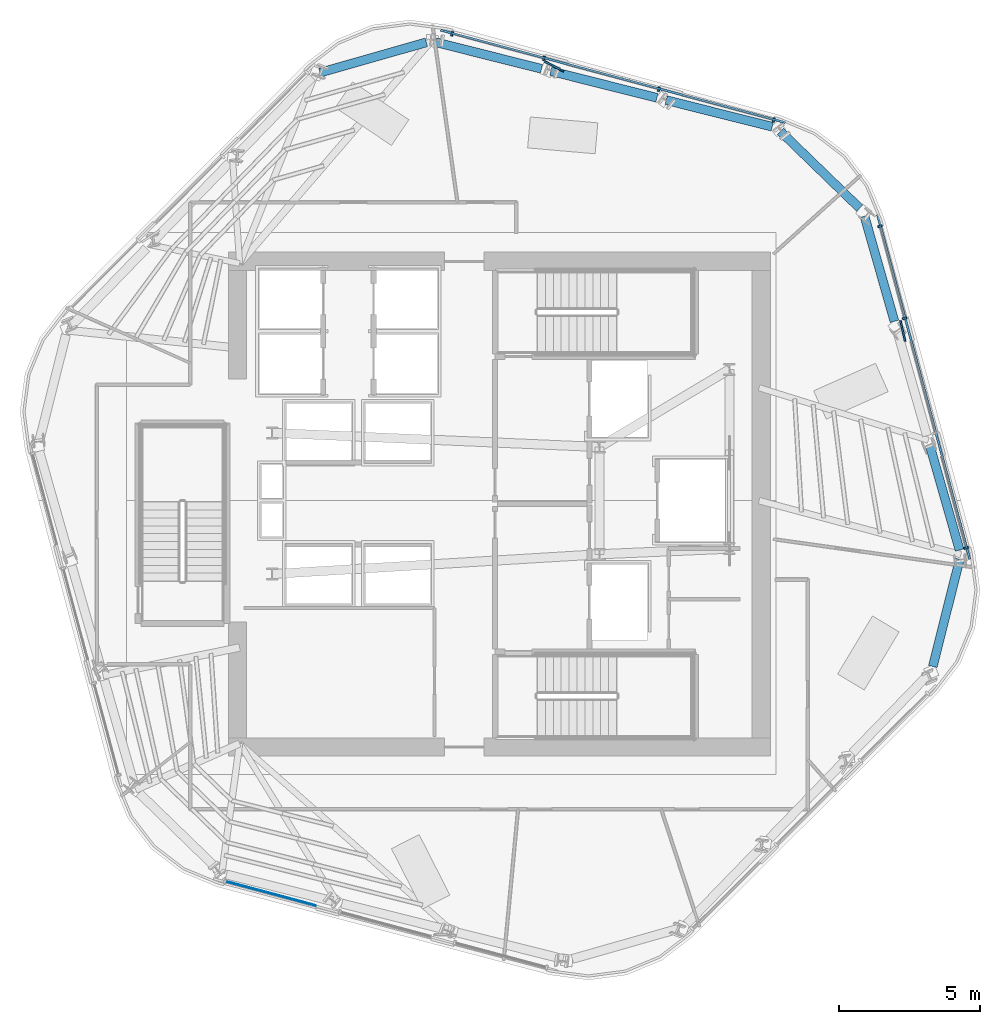
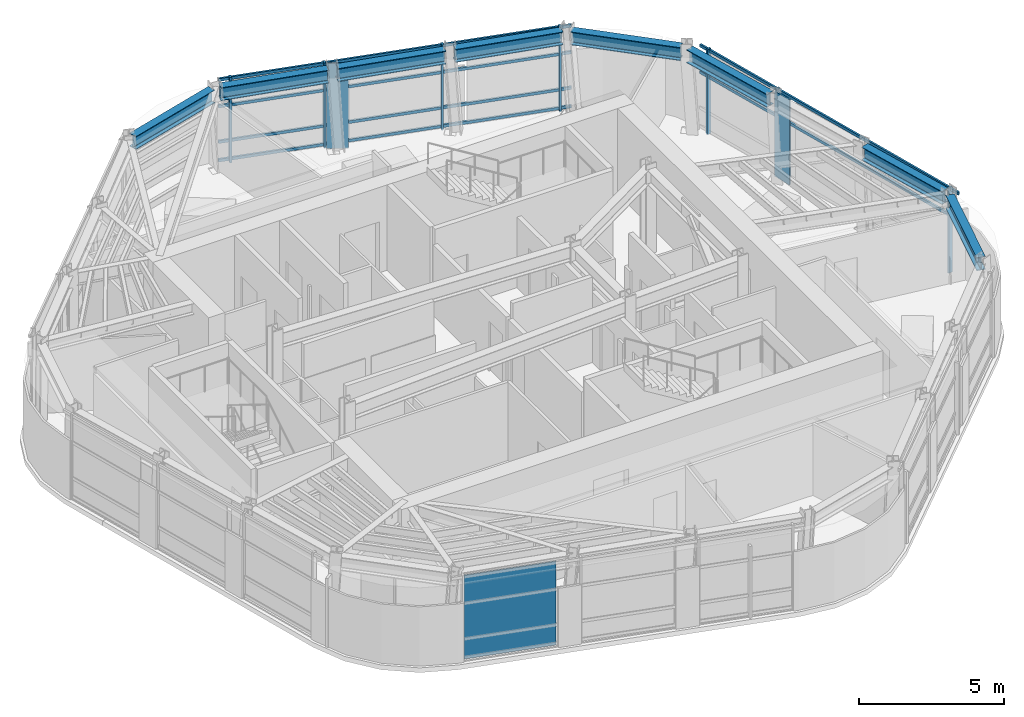
# One storey, part 5 of 13: 15 members, 8 beams, 1 plate, 3 elements without a shape of their own.
"""IFC4 building model written with IfcOpenShell, lengths in metres."""

from ifc_helpers import new_model, si_unit, direction, frame, origin, origin_2d, place, context, subcontext, project, spatial, rectangle, i_section, extrude, material, layer, layer_set, material_profile, profile_set, type_object, element, aggregate, save


model = new_model("IFC4")

# Units and contexts
model_context = context("Model", 3, precision=1e-05, world=origin(), true_north=direction((0.0, 1.0)))
body_context = subcontext(model_context, "Body", "Model", "MODEL_VIEW")
ifc_project = project(units=[si_unit("LENGTHUNIT", "METRE"), si_unit("AREAUNIT", "SQUARE_METRE"), si_unit("VOLUMEUNIT", "CUBIC_METRE"), si_unit("PLANEANGLEUNIT", "RADIAN"), si_unit("MASSUNIT", "GRAM", prefix="KILO")], contexts=[model_context])

# Site, building, storey
site_placement = place(None, origin())
site = spatial("IfcSite", under=ifc_project, at=site_placement, CompositionType="ELEMENT")
building_placement = place(site_placement, origin())
building = spatial("IfcBuilding", under=site, at=building_placement, Name="Valkerne Bourse Tower", CompositionType="ELEMENT")
storey_placement = place(building_placement, frame((0.0, 0.0, 217.0)))
storey = spatial("IfcBuildingStorey", under=building, at=storey_placement, Name="L55", CompositionType="ELEMENT", Elevation=217.0)

# Beams
ifc_material_1 = material(Name="Steel ASTM A992", Category="steel")
ifc_material_profile_1 = material_profile(ifc_material_1, i_section(OverallWidth=0.31494140625, OverallDepth=0.5537109375, WebThickness=0.0166015625, FlangeThickness=0.026123046875, FilletRadius=0.020263671875, at=origin_2d()), Name="W21X132")
ifc_profile_set_1 = profile_set([ifc_material_profile_1], Name="Steel ASTM A992")
beam_type = type_object("IfcBeamType", Name="BM-W21X132", PredefinedType="BEAM", material=ifc_profile_set_1)
beam_1_placement = place(storey_placement, frame((56.46533203125, 40.2431640625, 3.322998046875), z_axis=(-0.969878572825, 0.243588903636, 0.0), x_axis=(-0.243588903636, -0.969878572825, 0.0)))
element("IfcBeam", 1, at=beam_1_placement, inside=storey, type_object=beam_type, Name="L55 Hexagonal Spandrel Ring Beam 00", PredefinedType="BEAM", context=body_context, shape_type="SweptSolid", body=[
    extrude(i_section(OverallWidth=0.31494140625, OverallDepth=0.5537109375, WebThickness=0.0166015625, FlangeThickness=0.026123046875, FilletRadius=0.020263671875, at=origin_2d()), origin(), (0.0, 0.0, 1.0), 3.871826171875),
])
for number, where, z_axis, x_axis, name in (
    (2, (52.38037109375, 41.269287109375, 3.322998046875), (-0.969882314, 0.243574007215, 0.0), (-0.243574007215, -0.969882314, 0.0), "L55 Hexagonal Spandrel Ring Beam 01"),
    (3, (48.295166015625, 42.29541015625, 3.322998046875), (-0.969882314, 0.243574007215, 0.0), (-0.243574007215, -0.969882314, 0.0), "L55 Hexagonal Spandrel Ring Beam 02"),
):
    element("IfcBeam", number, at=place(storey_placement, frame(where, z_axis=z_axis, x_axis=x_axis)), inside=storey, type_object=beam_type, Name=name, PredefinedType="BEAM", context=body_context, shape_type="SweptSolid", body=[
        extrude(i_section(OverallWidth=0.31494140625, OverallDepth=0.5537109375, WebThickness=0.0166015625, FlangeThickness=0.026123046875, FilletRadius=0.020263671875, at=origin_2d()), origin(), (0.0, 0.0, 1.0), 3.8720703125),
    ])
for number, where, z_axis, x_axis, name in (
    (4, (44.21142578125, 43.2333984375, 3.322998046875), (-0.961735427489, -0.273979866986, 0.0), (0.273979866986, -0.961735427489, 0.0), "L55 Hexagonal Spandrel Ring Beam 03"),
    (5, (62.15283203125, 21.125, 3.322998046875), (0.243606452183, 0.969874165268, 0.0), (-0.969874165268, 0.243606452183, 0.0), "L55 Hexagonal Spandrel Ring Beam 19"),
):
    element("IfcBeam", number, at=place(storey_placement, frame(where, z_axis=z_axis, x_axis=x_axis)), inside=storey, type_object=beam_type, Name=name, PredefinedType="BEAM", context=body_context, shape_type="SweptSolid", body=[
        extrude(i_section(OverallWidth=0.31494140625, OverallDepth=0.5537109375, WebThickness=0.0166015625, FlangeThickness=0.026123046875, FilletRadius=0.020263671875, at=origin_2d()), origin(), (0.0, 0.0, 1.0), 3.91552734375),
    ])
beam_2_placement = place(storey_placement, frame((63.1015625, 25.251220703125, 3.322998046875), z_axis=(-0.273979836735, 0.961735436106, 0.0), x_axis=(-0.961735436106, -0.273979836735, 0.0)))
element("IfcBeam", 6, at=beam_2_placement, inside=storey, type_object=beam_type, Name="L55 Hexagonal Spandrel Ring Beam 20", PredefinedType="BEAM", context=body_context, shape_type="SweptSolid", body=[
    extrude(i_section(OverallWidth=0.31494140625, OverallDepth=0.5537109375, WebThickness=0.0166015625, FlangeThickness=0.026123046875, FilletRadius=0.020263671875, at=origin_2d()), origin(), (0.0, 0.0, 1.0), 3.871826171875),
])
beam_3_placement = place(storey_placement, frame((60.793701171875, 33.352783203125, 3.322998046875), z_axis=(-0.273963222598, 0.961740168998, 0.0), x_axis=(-0.961740168998, -0.273963222598, 0.0)))
element("IfcBeam", 7, at=beam_3_placement, inside=storey, type_object=beam_type, Name="L55 Hexagonal Spandrel Ring Beam 22", PredefinedType="BEAM", context=body_context, shape_type="SweptSolid", body=[
    extrude(i_section(OverallWidth=0.31494140625, OverallDepth=0.5537109375, WebThickness=0.0166015625, FlangeThickness=0.026123046875, FilletRadius=0.020263671875, at=origin_2d()), origin(), (0.0, 0.0, 1.0), 3.8720703125),
])
beam_4_placement = place(storey_placement, frame((59.564208984375, 37.3583984375, 3.322998046875), z_axis=(-0.718087329657, 0.695953006306, 0.0), x_axis=(-0.695953006306, -0.718087329657, 0.0)))
element("IfcBeam", 8, at=beam_4_placement, inside=storey, type_object=beam_type, Name="L55 Hexagonal Spandrel Ring Beam 23", PredefinedType="BEAM", context=body_context, shape_type="SweptSolid", body=[
    extrude(i_section(OverallWidth=0.31494140625, OverallDepth=0.5537109375, WebThickness=0.0166015625, FlangeThickness=0.026123046875, FilletRadius=0.020263671875, at=origin_2d()), origin(), (0.0, 0.0, 1.0), 3.91552734375),
])

# Curtain wall, members
ifc_material_2 = material(Name="Aluminium AA 6063-T6", Category="aluminium")
ifc_layer_1 = layer(ifc_material_2, 0.239990234375)
ifc_layer_set_1 = layer_set([ifc_layer_1], Name="Aluminium AA 6063-T6")
curtain_wall_type = type_object("IfcCurtainWallType", Name="CW-04", PredefinedType="NOTDEFINED", material=ifc_layer_set_1)
curtain_wall_1_placement = place(storey_placement, origin())
curtain_wall_1 = element("IfcCurtainWall", 9, at=curtain_wall_1_placement, inside=storey, type_object=curtain_wall_type, Name="L55 Hexagonal Stick Curtain Wall Face 1", PredefinedType="NOTDEFINED")
ifc_material_profile_2 = material_profile(ifc_material_2, rectangle(XDim=0.074951171875, YDim=0.159912109375, at=origin_2d()), Name="CWM-75X160")
ifc_profile_set_2 = profile_set([ifc_material_profile_2], Name="Aluminium AA 6063-T6")
member_type_1 = type_object("IfcMemberType", Name="CW-MUL-160X75", PredefinedType="MULLION", material=ifc_profile_set_2)
member_1_placement = place(storey_placement, frame((56.518798828125, 40.482666015625, 0.0), z_axis=(0.0, 0.0, 1.0), x_axis=(-0.965921344505, 0.25883577077, 0.0)))
member_1 = element("IfcMember", 10, at=member_1_placement, type_object=member_type_1, Name="CW-L55-F1 Jamb Mullion 00A", PredefinedType="MULLION", context=body_context, shape_type="SweptSolid", body=[
    extrude(rectangle(XDim=0.074951171875, YDim=0.159912109375, at=origin_2d()), origin(), (0.0, 0.0, 1.0), 3.60009765625),
])
member_2_placement = place(storey_placement, frame((52.4501953125, 41.572998046875, 0.0), z_axis=(0.0, 0.0, 1.0), x_axis=(-0.965928870461, 0.258807683831, 0.0)))
member_2 = element("IfcMember", 11, at=member_2_placement, type_object=member_type_1, Name="CW-L55-F1 Jamb Mullion 01A", PredefinedType="MULLION", context=body_context, shape_type="SweptSolid", body=[
    extrude(rectangle(XDim=0.074951171875, YDim=0.159912109375, at=origin_2d()), origin(), (0.0, 0.0, 1.0), 3.60009765625),
])
member_3_placement = place(storey_placement, frame((48.3818359375, 42.6630859375, 0.0), z_axis=(0.0, 0.0, 1.0), x_axis=(-0.96592293507, 0.258829835037, 0.0)))
member_3 = element("IfcMember", 12, at=member_3_placement, type_object=member_type_1, Name="CW-L55-F1 Jamb Mullion 02A", PredefinedType="MULLION", context=body_context, shape_type="SweptSolid", body=[
    extrude(rectangle(XDim=0.074951171875, YDim=0.159912109375, at=origin_2d()), origin(), (0.0, 0.0, 1.0), 3.60009765625),
])
member_4_placement = place(storey_placement, frame((45.124755859375, 43.535888671875, 0.0), z_axis=(0.0, 0.0, 1.0), x_axis=(-0.96592293507, 0.258829835037, 0.0)))
member_4 = element("IfcMember", 13, at=member_4_placement, type_object=member_type_1, Name="CW-L55-F1 Jamb Mullion 02B", PredefinedType="MULLION", context=body_context, shape_type="SweptSolid", body=[
    extrude(rectangle(XDim=0.074951171875, YDim=0.159912109375, at=origin_2d()), origin(), (0.0, 0.0, 1.0), 3.60009765625),
])

curtain_wall_2_placement = place(storey_placement, origin())
curtain_wall_2 = element("IfcCurtainWall", 14, at=curtain_wall_2_placement, inside=storey, type_object=curtain_wall_type, Name="L55 Hexagonal Stick Curtain Wall Face 6", PredefinedType="NOTDEFINED")
member_5_placement = place(storey_placement, frame((63.335693359375, 25.32470703125, 0.0), z_axis=(0.0, 0.0, 1.0), x_axis=(-0.258829835037, 0.96592293507, 0.0)))
member_5 = element("IfcMember", 15, at=member_5_placement, type_object=member_type_1, Name="CW-L55-F6 Jamb Mullion 00A", PredefinedType="MULLION", context=body_context, shape_type="SweptSolid", body=[
    extrude(rectangle(XDim=0.074951171875, YDim=0.159912109375, at=origin_2d()), origin(), (0.0, 0.0, 1.0), 3.60009765625),
])
member_6_placement = place(storey_placement, frame((61.155517578125, 33.461669921875, 0.0), z_axis=(0.0, 0.0, 1.0), x_axis=(-0.25883577077, 0.965921344505, 0.0)))
member_6 = element("IfcMember", 16, at=member_6_placement, type_object=member_type_1, Name="CW-L55-F6 Jamb Mullion 02A", PredefinedType="MULLION", context=body_context, shape_type="SweptSolid", body=[
    extrude(rectangle(XDim=0.074951171875, YDim=0.159912109375, at=origin_2d()), origin(), (0.0, 0.0, 1.0), 3.60009765625),
])
member_7_placement = place(storey_placement, frame((60.28271484375, 36.71875, 0.0), z_axis=(0.0, 0.0, 1.0), x_axis=(-0.25883577077, 0.965921344505, 0.0)))
member_7 = element("IfcMember", 17, at=member_7_placement, type_object=member_type_1, Name="CW-L55-F6 Jamb Mullion 02B", PredefinedType="MULLION", context=body_context, shape_type="SweptSolid", body=[
    extrude(rectangle(XDim=0.074951171875, YDim=0.159912109375, at=origin_2d()), origin(), (0.0, 0.0, 1.0), 3.60009765625),
])

# Member
ifc_material_profile_3 = material_profile(ifc_material_2, rectangle(XDim=0.074951171875, YDim=0.1201171875, at=origin_2d()), Name="CWT-75X120")
ifc_profile_set_3 = profile_set([ifc_material_profile_3], Name="Aluminium AA 6063-T6")
member_type_2 = type_object("IfcMemberType", Name="CW-TRN-120X75", PredefinedType="USERDEFINED", material=ifc_profile_set_3)
member_8_placement = place(storey_placement, frame((56.9296875, 40.393310546875, 0.1201171875), z_axis=(-0.96592511106, 0.258821714361, 0.0), x_axis=(-0.258821714361, -0.96592511106, 0.0)))
member_8 = element("IfcMember", 18, at=member_8_placement, type_object=member_type_2, Name="CW-L55-F1 Continuous Face Transom 1", ObjectType="TRANSOM", PredefinedType="USERDEFINED", context=body_context, shape_type="SweptSolid", body=[
    extrude(rectangle(XDim=0.074951171875, YDim=0.1201171875, at=origin_2d()), origin(), (0.0, 0.0, 1.0), 12.63623046875),
])

member_9_placement = place(storey_placement, frame((56.9296875, 40.393310546875, 0.89990234375), z_axis=(-0.96592511106, 0.258821714361, 0.0), x_axis=(-0.258821714361, -0.96592511106, 0.0)))
member_9 = element("IfcMember", 19, at=member_9_placement, type_object=member_type_2, Name="CW-L55-F1 Continuous Face Transom 2", ObjectType="TRANSOM", PredefinedType="USERDEFINED", context=body_context, shape_type="SweptSolid", body=[
    extrude(rectangle(XDim=0.074951171875, YDim=0.1201171875, at=origin_2d()), origin(), (0.0, 0.0, 1.0), 12.63623046875),
])

member_10_placement = place(storey_placement, frame((56.9296875, 40.393310546875, 2.39990234375), z_axis=(-0.96592511106, 0.258821714361, 0.0), x_axis=(-0.258821714361, -0.96592511106, 0.0)))
member_10 = element("IfcMember", 20, at=member_10_placement, type_object=member_type_2, Name="CW-L55-F1 Continuous Face Transom 3", ObjectType="TRANSOM", PredefinedType="USERDEFINED", context=body_context, shape_type="SweptSolid", body=[
    extrude(rectangle(XDim=0.074951171875, YDim=0.1201171875, at=origin_2d()), origin(), (0.0, 0.0, 1.0), 12.63623046875),
])

member_11_placement = place(storey_placement, frame((56.9296875, 40.393310546875, 3.52001953125), z_axis=(-0.96592511106, 0.258821714361, 0.0), x_axis=(-0.258821714361, -0.96592511106, 0.0)))
member_11 = element("IfcMember", 21, at=member_11_placement, type_object=member_type_2, Name="CW-L55-F1 Continuous Face Transom 4", ObjectType="TRANSOM", PredefinedType="USERDEFINED", context=body_context, shape_type="SweptSolid", body=[
    extrude(rectangle(XDim=0.074951171875, YDim=0.1201171875, at=origin_2d()), origin(), (0.0, 0.0, 1.0), 12.63623046875),
])

aggregate(curtain_wall_1, [member_8, member_9, member_10, member_11, member_1, member_2, member_3, member_4])

member_12_placement = place(storey_placement, frame((63.4638671875, 24.92431640625, 2.39990234375), z_axis=(-0.258826544699, 0.965923816747, 0.0), x_axis=(-0.965923816747, -0.258826544699, 0.0)))
member_12 = element("IfcMember", 22, at=member_12_placement, type_object=member_type_2, Name="CW-L55-F6 Continuous Face Transom 3", ObjectType="TRANSOM", PredefinedType="USERDEFINED", context=body_context, shape_type="SweptSolid", body=[
    extrude(rectangle(XDim=0.074951171875, YDim=0.1201171875, at=origin_2d()), origin(), (0.0, 0.0, 1.0), 12.635986328125),
])

member_13_placement = place(storey_placement, frame((63.4638671875, 24.92431640625, 3.52001953125), z_axis=(-0.258826544699, 0.965923816747, 0.0), x_axis=(-0.965923816747, -0.258826544699, 0.0)))
member_13 = element("IfcMember", 23, at=member_13_placement, type_object=member_type_2, Name="CW-L55-F6 Continuous Face Transom 4", ObjectType="TRANSOM", PredefinedType="USERDEFINED", context=body_context, shape_type="SweptSolid", body=[
    extrude(rectangle(XDim=0.074951171875, YDim=0.1201171875, at=origin_2d()), origin(), (0.0, 0.0, 1.0), 12.635986328125),
])

aggregate(curtain_wall_2, [member_12, member_13, member_5, member_6, member_7])

# Members
ifc_material_3 = material(Name="Bronze Anodised Aluminium AA 6063-T6", Category="aluminium")
ifc_material_profile_4 = material_profile(ifc_material_3, rectangle(XDim=0.06494140625, YDim=0.75, at=origin_2d()), Name="FIN-65X750")
ifc_profile_set_4 = profile_set([ifc_material_profile_4], Name="Bronze Anodised Aluminium AA 6063-T6")
member_type_3 = type_object("IfcMemberType", Name="FIN-SOLAR-650", PredefinedType="USERDEFINED", material=ifc_profile_set_4)
for number, where, z_axis, x_axis, name in (
    (24, (48.740966796875, 42.38037109375, 0.00390625), (0.0, 0.0, 1.0), (0.468467948499, 0.88348049284, 0.0), "L55 Bronze Anodised Solar Fin F1-02"),
    (25, (61.09033203125, 33.009521484375, 0.00390625), (0.0, 0.0, 1.0), (0.973684870913, 0.227898600598, 0.0), "L55 Bronze Anodised Solar Fin F6-02"),
):
    element("IfcMember", number, at=place(storey_placement, frame(where, z_axis=z_axis, x_axis=x_axis)), inside=storey, type_object=member_type_3, Name=name, ObjectType="SOLAR_FIN", PredefinedType="USERDEFINED", context=body_context, shape_type="SweptSolid", body=[
        extrude(rectangle(XDim=0.06494140625, YDim=0.75, at=origin_2d()), origin(), (0.0, 0.0, 1.0), 3.592041015625),
    ])

# Curtain wall, plate
curtain_wall_3_placement = place(storey_placement, origin())
curtain_wall_3 = element("IfcCurtainWall", 26, at=curtain_wall_3_placement, inside=storey, type_object=curtain_wall_type, Name="L55 Hexagonal Stick Curtain Wall Face 4", PredefinedType="NOTDEFINED")
ifc_material_4 = material(Name="Glass IGU Low-E Double Glazed", Category="glass")
ifc_layer_2 = layer(ifc_material_4, 0.031982421875)
ifc_layer_set_2 = layer_set([ifc_layer_2], Name="Glass IGU Low-E Double Glazed")
plate_type = type_object("IfcPlateType", Name="CW-PNL-IGU-32", PredefinedType="CURTAIN_PANEL", material=ifc_layer_set_2)
plate_placement = place(storey_placement, frame((38.709716796875, 13.080810546875, 0.030029296875), z_axis=(0.0, 0.0, 1.0), x_axis=(0.965921344505, -0.25883577077, 0.0)))
plate = element("IfcPlate", 27, at=plate_placement, type_object=plate_type, Name="CW-L55-F4 Curtain Panel 00", PredefinedType="CURTAIN_PANEL", context=body_context, shape_type="SweptSolid", body=[
    extrude(rectangle(XDim=3.2919921875, YDim=0.031982421875, at=origin_2d()), origin(), (0.0, 0.0, 1.0), 3.5400390625),
])
aggregate(curtain_wall_3, [plate])

save(model, "model.ifc")
